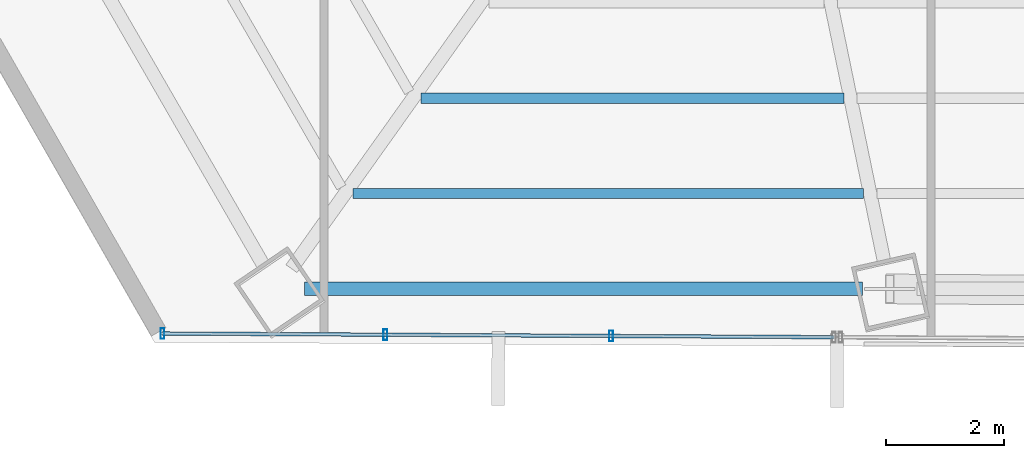
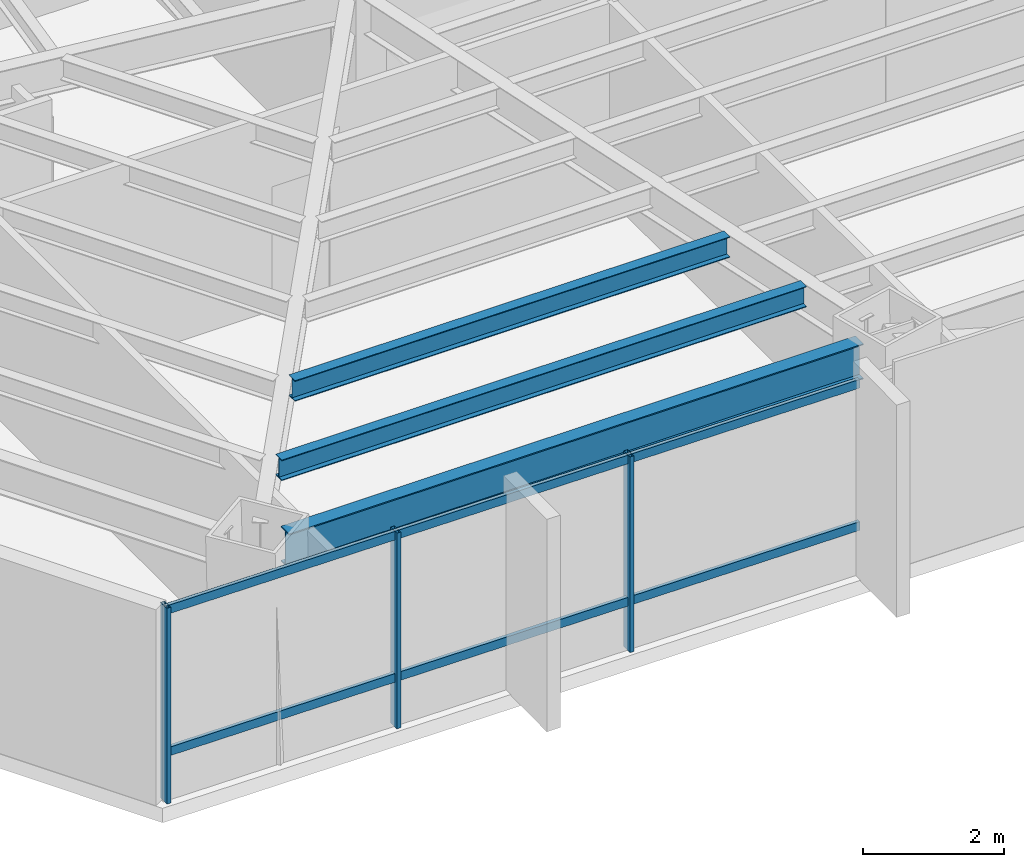
# One storey, part 4 of 35: 5 members, 3 beams, 1 element without a shape of its own.
"""IFC4 building model written with IfcOpenShell, lengths in metres."""

from ifc_helpers import new_model, si_unit, direction, frame, origin, origin_2d, place, context, subcontext, project, spatial, hollow_rectangle, i_section, extrude, source, transform, mapped, material, material_profile, profile_set, type_object, type_shapes, element, aggregate, save


model = new_model("IFC4")

# Units and contexts
model_context = context("Model", 3, precision=1e-05, world=origin(), true_north=direction((0.0, 1.0)))
body_context = subcontext(model_context, "Body", "Model", "MODEL_VIEW")
ifc_project = project(units=[si_unit("LENGTHUNIT", "METRE"), si_unit("AREAUNIT", "SQUARE_METRE"), si_unit("VOLUMEUNIT", "CUBIC_METRE"), si_unit("PLANEANGLEUNIT", "RADIAN"), si_unit("MASSUNIT", "GRAM", prefix="KILO")], contexts=[model_context])

# Site, building, storey
site_placement = place(None, origin())
site = spatial("IfcSite", under=ifc_project, at=site_placement, CompositionType="ELEMENT")
building_placement = place(site_placement, origin())
building = spatial("IfcBuilding", under=site, at=building_placement, Name="Caelisora Broadcast Tower", CompositionType="ELEMENT")
storey_placement = place(building_placement, frame((0.0, 0.0, 90.800048828125)))
storey = spatial("IfcBuildingStorey", under=building, at=storey_placement, Name="L23", CompositionType="ELEMENT", Elevation=90.800048828125)

# Beams
ifc_material_1 = material(Name="Steel Grade 350 (AS/NZS 3679.1)", Category="steel")
ifc_material_profile_1 = material_profile(ifc_material_1, i_section(OverallWidth=0.22900390625, OverallDepth=0.611572265625, WebThickness=0.011962890625, FlangeThickness=0.01953125, at=origin_2d()), Name="Steel Grade 350 (AS/NZS 3679.1)")
ifc_profile_set_1 = profile_set([ifc_material_profile_1], Name="Steel Grade 350 (AS/NZS 3679.1)")
beam_type_1 = type_object("IfcBeamType", Name="PG03", PredefinedType="BEAM", material=ifc_profile_set_1)
shared_shape_1 = source(origin(), body_context, "Body", "SweptSolid", [
    extrude(i_section(OverallWidth=0.22900390625, OverallDepth=0.611572265625, WebThickness=0.011962890625, FlangeThickness=0.01953125, at=origin_2d()), origin(), (0.0, 0.0, 1.0), 9.43505859375),
])
type_shapes(beam_type_1, [shared_shape_1])
beam_1_placement = place(storey_placement, frame((22.92724609375, 6.1240234375, 3.09423828125), z_axis=(1.0, 0.0, 0.0), x_axis=(0.0, 1.0, 0.0)))
element("IfcBeam", 1, at=beam_1_placement, inside=storey, type_object=beam_type_1, Name="L23 beam PG03", PredefinedType="BEAM", context=body_context, shape_type="MappedRepresentation", body=[
    mapped(shared_shape_1, transform((0.0, 0.0, 0.0), scale=1.0)),
])
ifc_material_profile_2 = material_profile(ifc_material_1, i_section(OverallWidth=0.172119140625, OverallDepth=0.358642578125, WebThickness=0.008056640625, FlangeThickness=0.012939453125, at=origin_2d()), Name="Steel Grade 350 (AS/NZS 3679.1)")
ifc_profile_set_2 = profile_set([ifc_material_profile_2], Name="Steel Grade 350 (AS/NZS 3679.1)")
beam_type_2 = type_object("IfcBeamType", Name="SB02", PredefinedType="JOIST", material=ifc_profile_set_2)
shared_shape_2 = source(origin(), body_context, "Body", "SweptSolid", [
    extrude(i_section(OverallWidth=0.172119140625, OverallDepth=0.358642578125, WebThickness=0.008056640625, FlangeThickness=0.012939453125, at=origin_2d()), origin(), (0.0, 0.0, 1.0), 7.14599609375),
])
beam_2_placement = place(storey_placement, frame((24.8994140625, 9.345703125, 3.220703125), z_axis=(1.0, 0.0, 0.0), x_axis=(0.0, 1.0, 0.0)))
element("IfcBeam", 2, at=beam_2_placement, inside=storey, type_object=beam_type_2, Name="L23 beam SB02", PredefinedType="JOIST", context=body_context, shape_type="MappedRepresentation", body=[
    mapped(shared_shape_2, transform((0.0, 0.0, 0.0), scale=1.0)),
])
shared_shape_3 = source(origin(), body_context, "Body", "SweptSolid", [
    extrude(i_section(OverallWidth=0.172119140625, OverallDepth=0.358642578125, WebThickness=0.008056640625, FlangeThickness=0.012939453125, at=origin_2d()), origin(), (0.0, 0.0, 1.0), 8.62548828125),
])
type_shapes(beam_type_2, [shared_shape_2, shared_shape_3])
beam_3_placement = place(storey_placement, frame((23.751708984375, 7.73486328125, 3.220703125), z_axis=(1.0, 0.0, 0.0), x_axis=(0.0, 1.0, 0.0)))
element("IfcBeam", 3, at=beam_3_placement, inside=storey, type_object=beam_type_2, Name="L23 beam SB02", PredefinedType="JOIST", context=body_context, shape_type="MappedRepresentation", body=[
    mapped(shared_shape_3, transform((0.0, 0.0, 0.0), scale=1.0)),
])

# Curtain wall, members
ifc_material_2 = material(Name="Unitised Aluminium and Low-E Glass Curtain Wall", Category="glass")
curtain_wall_type = type_object("IfcCurtainWallType", Name="CW-Z2", PredefinedType="NOTDEFINED", material=ifc_material_2)
curtain_wall_placement = place(storey_placement, origin())
curtain_wall = element("IfcCurtainWall", 4, at=curtain_wall_placement, inside=storey, type_object=curtain_wall_type, Name="L23 curtain wall CW-Z2", PredefinedType="NOTDEFINED")
ifc_material_3 = material(Name="Aluminium 6063-T6 Anodised Terracotta Bronze", Category="aluminium")
ifc_material_profile_3 = material_profile(ifc_material_3, hollow_rectangle(XDim=0.06494140625, YDim=0.179931640625, WallThickness=0.00341796875, at=origin_2d()), Name="Aluminium 6063-T6 Anodised Terracotta Bronze")
ifc_profile_set_3 = profile_set([ifc_material_profile_3], Name="Aluminium 6063-T6 Anodised Terracotta Bronze")
member_type_1 = type_object("IfcMemberType", Name="CWM-02", PredefinedType="MULLION", material=ifc_profile_set_3)
shared_shape_4 = source(origin(), body_context, "Body", "SweptSolid", [
    extrude(hollow_rectangle(XDim=0.06494140625, YDim=0.179931640625, WallThickness=0.00341796875, at=origin_2d()), origin(), (0.0, 0.0, 1.0), 3.39990234375),
])
type_shapes(member_type_1, [shared_shape_4])
member_1_placement = place(storey_placement, frame((28.113037109375, 5.32861328125, 0.0), z_axis=(0.0, 0.0, 1.0), x_axis=(1.0, 0.0, 0.0)))
member_1 = element("IfcMember", 5, at=member_1_placement, type_object=member_type_1, Name="L23-CW-B07 mullion #1", PredefinedType="MULLION", context=body_context, shape_type="MappedRepresentation", body=[
    mapped(shared_shape_4, transform((0.0, 0.0, 0.0), scale=1.0)),
])
member_2_placement = place(storey_placement, frame((24.296630859375, 5.349853515625, 0.0), z_axis=(0.0, 0.0, 1.0), x_axis=(1.0, 0.0, 0.0)))
member_2 = element("IfcMember", 6, at=member_2_placement, type_object=member_type_1, Name="L23-CW-B07 mullion #2", PredefinedType="MULLION", context=body_context, shape_type="MappedRepresentation", body=[
    mapped(shared_shape_4, transform((0.0, 0.0, 0.0), scale=1.0)),
])
member_3_placement = place(storey_placement, frame((20.530029296875, 5.37060546875, 0.0), z_axis=(0.0, 0.0, 1.0), x_axis=(1.0, 0.0, 0.0)))
member_3 = element("IfcMember", 7, at=member_3_placement, type_object=member_type_1, Name="L23-CW-B07 mullion #3", PredefinedType="MULLION", context=body_context, shape_type="MappedRepresentation", body=[
    mapped(shared_shape_4, transform((0.0, 0.0, 0.0), scale=1.0)),
])
ifc_material_profile_4 = material_profile(ifc_material_3, hollow_rectangle(XDim=0.06005859375, YDim=0.14990234375, WallThickness=0.00341796875, at=origin_2d()), Name="Aluminium 6063-T6 Anodised Terracotta Bronze")
ifc_profile_set_4 = profile_set([ifc_material_profile_4], Name="Aluminium 6063-T6 Anodised Terracotta Bronze")
member_type_2 = type_object("IfcMemberType", Name="CWT-02", PredefinedType="USERDEFINED", material=ifc_profile_set_4)
shared_shape_5 = source(origin(), body_context, "Body", "SweptSolid", [
    extrude(hollow_rectangle(XDim=0.06005859375, YDim=0.14990234375, WallThickness=0.00341796875, at=origin_2d()), origin(), (0.0, 0.0, 1.0), 11.349853515625),
])
type_shapes(member_type_2, [shared_shape_5])
member_4_placement = place(storey_placement, frame((31.879638671875, 5.3076171875, 0.849853515625), z_axis=(-0.999984600109, 0.005549733842, 0.0), x_axis=(-0.005549733842, -0.999984600109, 0.0)))
member_4 = element("IfcMember", 8, at=member_4_placement, type_object=member_type_2, Name="L23-CW-B07 transom #1", ObjectType="TRANSOM", PredefinedType="USERDEFINED", context=body_context, shape_type="MappedRepresentation", body=[
    mapped(shared_shape_5, transform((0.0, 0.0, 0.0), scale=1.0)),
])
member_5_placement = place(storey_placement, frame((31.879638671875, 5.3076171875, 3.320068359375), z_axis=(-0.999984600109, 0.005549733842, 0.0), x_axis=(-0.005549733842, -0.999984600109, 0.0)))
member_5 = element("IfcMember", 9, at=member_5_placement, type_object=member_type_2, Name="L23-CW-B07 transom #2", ObjectType="TRANSOM", PredefinedType="USERDEFINED", context=body_context, shape_type="MappedRepresentation", body=[
    mapped(shared_shape_5, transform((0.0, 0.0, 0.0), scale=1.0)),
])
aggregate(curtain_wall, [member_1, member_2, member_3, member_4, member_5])

save(model, "model.ifc")
